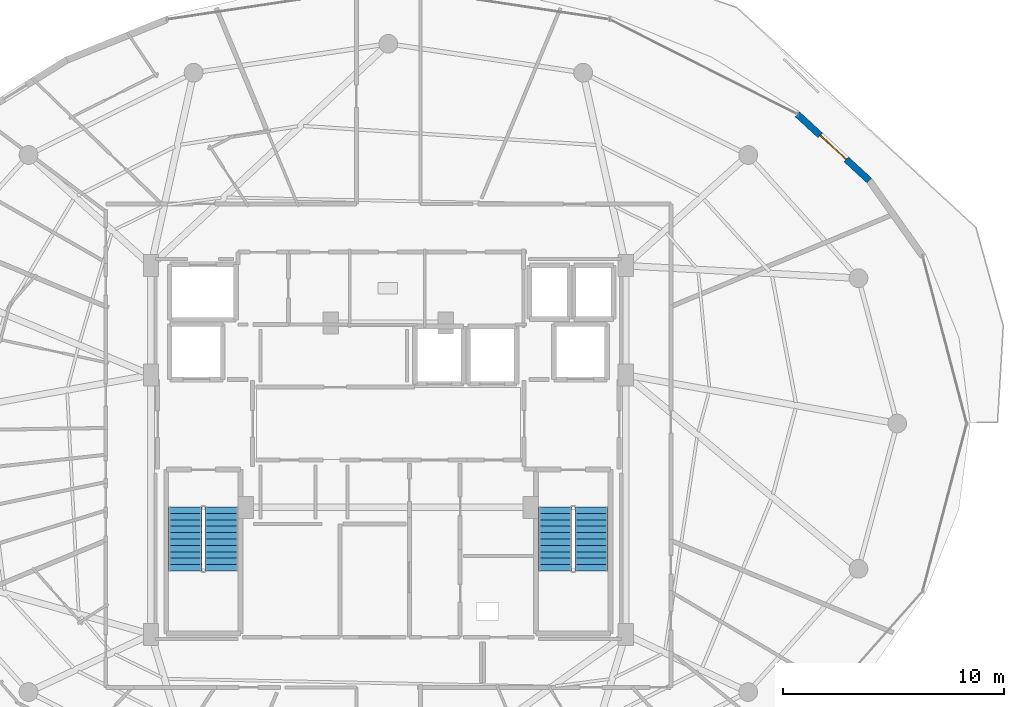
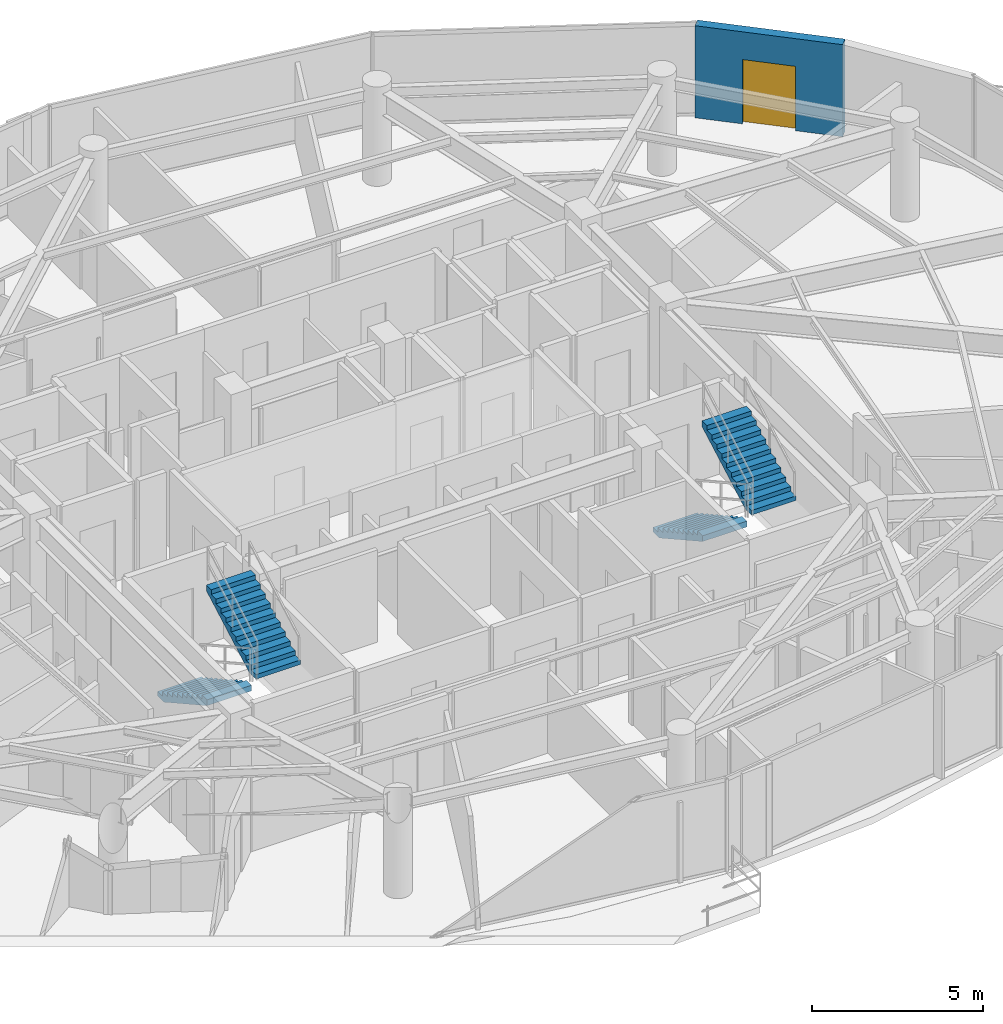
# One storey, part 27 of 30: 4 stair flights, 1 door, 1 wall, 1 opening, 2 elements without a shape of their own.
"""IFC4 building model written with IfcOpenShell, lengths in metres."""

from ifc_helpers import new_model, si_unit, direction, frame, frame_2d, origin, place, context, subcontext, project, spatial, polyline, rectangle, outline, extrude, material, layer, layer_set, type_object, element, fill, aggregate, save


model = new_model("IFC4")

# Units and contexts
model_context = context("Model", 3, precision=1e-05, world=origin(), true_north=direction((0.0, 1.0)))
body_context = subcontext(model_context, "Body", "Model", "MODEL_VIEW")
ifc_project = project(units=[si_unit("LENGTHUNIT", "METRE"), si_unit("AREAUNIT", "SQUARE_METRE"), si_unit("VOLUMEUNIT", "CUBIC_METRE"), si_unit("PLANEANGLEUNIT", "RADIAN"), si_unit("MASSUNIT", "GRAM", prefix="KILO")], contexts=[model_context])

# Site, building, storey
site_placement = place(None, origin())
site = spatial("IfcSite", under=ifc_project, at=site_placement, CompositionType="ELEMENT")
building_placement = place(site_placement, origin())
building = spatial("IfcBuilding", under=site, at=building_placement, Name="Vorneva Point Tower", CompositionType="ELEMENT")
storey_placement = place(building_placement, frame((0.0, 0.0, 252.0)))
storey = spatial("IfcBuildingStorey", under=building, at=storey_placement, Name="L68", CompositionType="ELEMENT", Elevation=252.0)

# Wall, opening, door
ifc_material_1 = material(Name="Precast concrete B50 (C40/50)", Category="concrete")
ifc_layer = layer(ifc_material_1, 0.300048828125)
ifc_layer_set = layer_set([ifc_layer], Name="Precast concrete B50 (C40/50)")
wall_type = type_object("IfcWallType", Name="WL-EXT-300", PredefinedType="STANDARD", material=ifc_layer_set)
wall_placement = place(storey_placement, frame((59.784423828125, 37.005859375, 0.0), z_axis=(0.0, 0.0, 1.0), x_axis=(-0.735445373611, 0.677584018727, 0.0)))
wall = element("IfcWall", 1, at=wall_placement, inside=storey, type_object=wall_type, Name="L68 Pale-Metal Facade Spandrel Wall 02.2", PredefinedType="STANDARD", context=body_context, shape_type="SweptSolid", body=[
    extrude(rectangle(XDim=4.430419921875, YDim=0.300048828125, at=frame_2d((2.21533203125, 0.0))), origin(), (0.0, 0.0, 1.0), 3.2900390625),
])
opening_placement = place(wall_placement, frame((1.415283203125, 0.0, 0.0)))
opening = element("IfcOpeningElement", 2, at=opening_placement, cuts=wall, Name="Opening BD-01", PredefinedType="OPENING", context=body_context, shape_type="SweptSolid", body=[
    extrude(rectangle(XDim=1.60009765625, YDim=2.300048828125, at=frame_2d((0.800048828125, 1.14990234375))), frame((0.0, 0.1650390625, 0.0), z_axis=(0.0, -1.0, 0.0), x_axis=(1.0, 0.0, 0.0)), (0.0, 0.0, 1.0), 0.329833984375),
])
ifc_material_2 = material(Name="Pale anodised aluminium", Category="aluminium")
door_type = type_object("IfcDoorType", Name="DR-BAL-1600", OperationType="SLIDING_TO_LEFT", PredefinedType="DOOR", material=ifc_material_2)
door_placement = place(opening_placement, origin())
door = element("IfcDoor", 3, at=door_placement, inside=storey, type_object=door_type, Name="L68 Balcony Terrace Access Door 02", OperationType="SLIDING_TO_LEFT", OverallHeight=2.300048828125, OverallWidth=1.60009765625, PredefinedType="DOOR", context=body_context, shape_type="SweptSolid", body=[
    extrude(rectangle(XDim=1.60009765625, YDim=2.300048828125, at=frame_2d((0.800048828125, 1.14990234375))), frame((0.0, 0.02490234375, 0.0), z_axis=(0.0, -1.0, 0.0), x_axis=(1.0, 0.0, 0.0)), (0.0, 0.0, 1.0), 0.050048828125),
])
fill(opening, door)

# Stair, stair flights
ifc_material_3 = material(Name="Concrete B50 (C40/50)", Category="concrete")
stair_type = type_object("IfcStairType", Name="ST-DOG-1500", PredefinedType="HALF_TURN_STAIR", material=ifc_material_3)
stair_1_placement = place(storey_placement, origin())
stair_1 = element("IfcStair", 4, at=stair_1_placement, inside=storey, type_object=stair_type, Name="L68 ST1", PredefinedType="HALF_TURN_STAIR")
stair_flight_type = type_object("IfcStairFlightType", Name="STF-1500", PredefinedType="STRAIGHT", material=ifc_material_3)
stair_flight_1_placement = place(storey_placement, frame((28.800048828125, 22.219970703125, 0.0), z_axis=(0.0, 0.0, 1.0), x_axis=(0.0, -1.0, 0.0)))
stair_flight_1 = element("IfcStairFlight", 5, at=stair_flight_1_placement, type_object=stair_flight_type, Name="ST1 flight 1", NumberOfRisers=11, NumberOfTreads=10, PredefinedType="STRAIGHT", RiserHeight=0.161363636, TreadLength=0.29, context=body_context, shape_type="SweptSolid", body=[
    extrude(outline(polyline([(0.0, 0.0), (0.0, 0.161376953125), (0.2900390625, 0.161376953125), (0.2900390625, 0.32275390625), (0.580078125, 0.32275390625), (0.580078125, 0.484130859375), (0.8701171875, 0.484130859375), (0.8701171875, 0.6455078125), (1.159912109375, 0.6455078125), (1.159912109375, 0.806884765625), (1.449951171875, 0.806884765625), (1.449951171875, 0.96826171875), (1.739990234375, 0.96826171875), (1.739990234375, 1.129638671875), (2.030029296875, 1.129638671875), (2.030029296875, 1.291015625), (2.320068359375, 1.291015625), (2.320068359375, 1.452392578125), (2.610107421875, 1.452392578125), (2.610107421875, 1.613525390625), (2.89990234375, 1.613525390625), (2.89990234375, 1.77490234375), (2.89990234375, 1.40771484375), (0.3701171875, 0.0), (0.0, 0.0)])), frame((0.0, 0.75, 0.0), z_axis=(0.0, -1.0, 0.0), x_axis=(1.0, 0.0, 0.0)), (0.0, 0.0, 1.0), 1.5),
])
stair_flight_2_placement = place(storey_placement, frame((30.449951171875, 19.320068359375, 1.77490234375), z_axis=(0.0, 0.0, 1.0), x_axis=(0.0, 1.0, 0.0)))
stair_flight_2 = element("IfcStairFlight", 6, at=stair_flight_2_placement, type_object=stair_flight_type, Name="ST1 flight 2", NumberOfRisers=11, NumberOfTreads=10, PredefinedType="STRAIGHT", RiserHeight=0.161363636, TreadLength=0.29, context=body_context, shape_type="SweptSolid", body=[
    extrude(outline(polyline([(0.0, 0.0), (0.0, 0.161376953125), (0.2900390625, 0.161376953125), (0.2900390625, 0.32275390625), (0.580078125, 0.32275390625), (0.580078125, 0.484130859375), (0.8701171875, 0.484130859375), (0.8701171875, 0.6455078125), (1.159912109375, 0.6455078125), (1.159912109375, 0.806884765625), (1.449951171875, 0.806884765625), (1.449951171875, 0.96826171875), (1.739990234375, 0.96826171875), (1.739990234375, 1.129638671875), (2.030029296875, 1.129638671875), (2.030029296875, 1.291015625), (2.320068359375, 1.291015625), (2.320068359375, 1.452392578125), (2.610107421875, 1.452392578125), (2.610107421875, 1.613525390625), (2.89990234375, 1.613525390625), (2.89990234375, 1.77490234375), (2.89990234375, 1.40771484375), (0.3701171875, 0.0), (0.0, 0.0)])), frame((0.0, 0.75, 0.0), z_axis=(0.0, -1.0, 0.0), x_axis=(1.0, 0.0, 0.0)), (0.0, 0.0, 1.0), 1.5),
])
aggregate(stair_1, [stair_flight_1, stair_flight_2])

stair_2_placement = place(storey_placement, origin())
stair_2 = element("IfcStair", 7, at=stair_2_placement, inside=storey, type_object=stair_type, Name="L68 ST2", PredefinedType="HALF_TURN_STAIR")
stair_flight_3_placement = place(storey_placement, frame((45.550048828125, 22.219970703125, 0.0), z_axis=(0.0, 0.0, 1.0), x_axis=(0.0, -1.0, 0.0)))
stair_flight_3 = element("IfcStairFlight", 8, at=stair_flight_3_placement, type_object=stair_flight_type, Name="ST2 flight 1", NumberOfRisers=11, NumberOfTreads=10, PredefinedType="STRAIGHT", RiserHeight=0.161363636, TreadLength=0.29, context=body_context, shape_type="SweptSolid", body=[
    extrude(outline(polyline([(0.0, 0.0), (0.0, 0.161376953125), (0.2900390625, 0.161376953125), (0.2900390625, 0.32275390625), (0.580078125, 0.32275390625), (0.580078125, 0.484130859375), (0.8701171875, 0.484130859375), (0.8701171875, 0.6455078125), (1.159912109375, 0.6455078125), (1.159912109375, 0.806884765625), (1.449951171875, 0.806884765625), (1.449951171875, 0.96826171875), (1.739990234375, 0.96826171875), (1.739990234375, 1.129638671875), (2.030029296875, 1.129638671875), (2.030029296875, 1.291015625), (2.320068359375, 1.291015625), (2.320068359375, 1.452392578125), (2.610107421875, 1.452392578125), (2.610107421875, 1.613525390625), (2.89990234375, 1.613525390625), (2.89990234375, 1.77490234375), (2.89990234375, 1.40771484375), (0.3701171875, 0.0), (0.0, 0.0)])), frame((0.0, 0.75, 0.0), z_axis=(0.0, -1.0, 0.0), x_axis=(1.0, 0.0, 0.0)), (0.0, 0.0, 1.0), 1.5),
])
stair_flight_4_placement = place(storey_placement, frame((47.199951171875, 19.320068359375, 1.77490234375), z_axis=(0.0, 0.0, 1.0), x_axis=(0.0, 1.0, 0.0)))
stair_flight_4 = element("IfcStairFlight", 9, at=stair_flight_4_placement, type_object=stair_flight_type, Name="ST2 flight 2", NumberOfRisers=11, NumberOfTreads=10, PredefinedType="STRAIGHT", RiserHeight=0.161363636, TreadLength=0.29, context=body_context, shape_type="SweptSolid", body=[
    extrude(outline(polyline([(0.0, 0.0), (0.0, 0.161376953125), (0.2900390625, 0.161376953125), (0.2900390625, 0.32275390625), (0.580078125, 0.32275390625), (0.580078125, 0.484130859375), (0.8701171875, 0.484130859375), (0.8701171875, 0.6455078125), (1.159912109375, 0.6455078125), (1.159912109375, 0.806884765625), (1.449951171875, 0.806884765625), (1.449951171875, 0.96826171875), (1.739990234375, 0.96826171875), (1.739990234375, 1.129638671875), (2.030029296875, 1.129638671875), (2.030029296875, 1.291015625), (2.320068359375, 1.291015625), (2.320068359375, 1.452392578125), (2.610107421875, 1.452392578125), (2.610107421875, 1.613525390625), (2.89990234375, 1.613525390625), (2.89990234375, 1.77490234375), (2.89990234375, 1.40771484375), (0.3701171875, 0.0), (0.0, 0.0)])), frame((0.0, 0.75, 0.0), z_axis=(0.0, -1.0, 0.0), x_axis=(1.0, 0.0, 0.0)), (0.0, 0.0, 1.0), 1.5),
])
aggregate(stair_2, [stair_flight_3, stair_flight_4])

save(model, "model.ifc")
